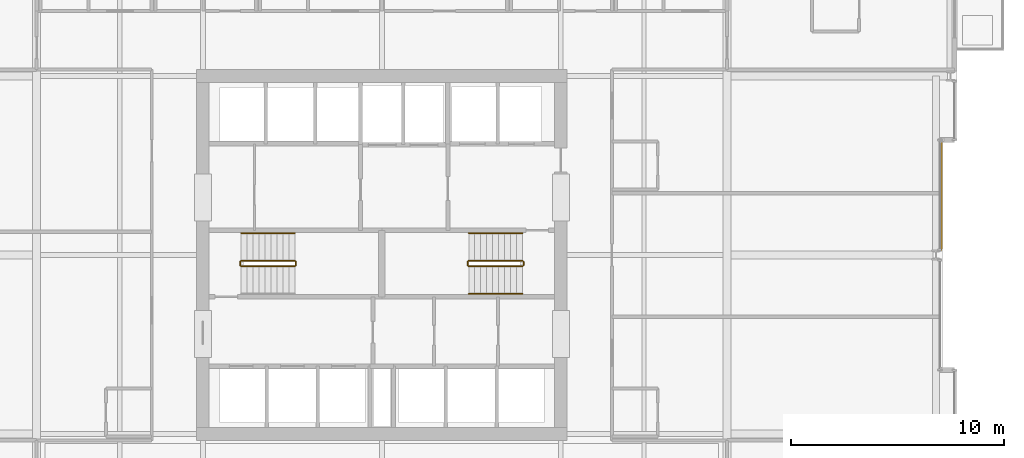
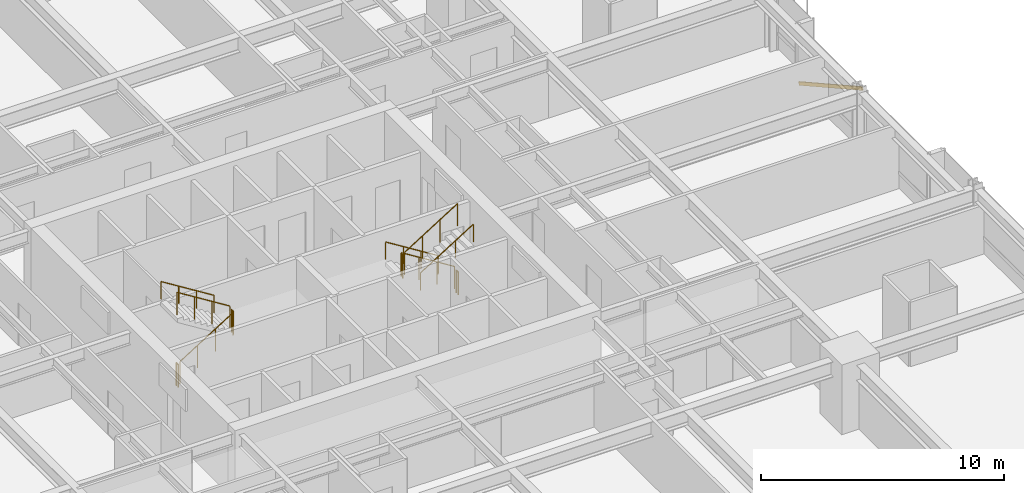
# One storey, part 37 of 38: 11 railings, 1 shading device.
"""IFC4 building model written with IfcOpenShell, lengths in metres."""

from ifc_helpers import new_model, si_unit, direction, frame, origin, origin_2d, place, context, subcontext, project, spatial, hollow_rectangle, circle, extrude, material, material_profile, profile_set, type_object, element, save


model = new_model("IFC4")

# Units and contexts
model_context = context("Model", 3, precision=1e-05, world=origin(), true_north=direction((0.0, 1.0)))
body_context = subcontext(model_context, "Body", "Model", "MODEL_VIEW")
ifc_project = project(units=[si_unit("LENGTHUNIT", "METRE"), si_unit("AREAUNIT", "SQUARE_METRE"), si_unit("VOLUMEUNIT", "CUBIC_METRE"), si_unit("PLANEANGLEUNIT", "RADIAN"), si_unit("MASSUNIT", "GRAM", prefix="KILO")], contexts=[model_context])

# Site, building, storey
site_placement = place(None, origin())
site = spatial("IfcSite", under=ifc_project, at=site_placement, CompositionType="ELEMENT")
building_placement = place(site_placement, origin())
building = spatial("IfcBuilding", under=site, at=building_placement, Name="Drelvath Grand Hotel", CompositionType="ELEMENT")
storey_placement = place(building_placement, frame((0.0, 0.0, 71.699951171875)))
storey = spatial("IfcBuildingStorey", under=building, at=storey_placement, Name="L17", CompositionType="ELEMENT", Elevation=71.699951171875)

# Railings
ifc_material_1 = material(Name="Painted Steel S275", Category="steel")
railing_type_1 = type_object("IfcRailingType", Name="Core Stair Wall Handrail 900", PredefinedType="HANDRAIL", material=ifc_material_1)
for number, where, name in (
    (1, (-4.080078125, 28.030029296875, 1.925048828125), "L17 ST-1 stair handrail 2"),
    (2, (6.60009765625, 28.030029296875, 0.175048828125), "L17 ST-2 stair handrail 1"),
):
    element("IfcRailing", number, at=place(storey_placement, frame(where)), inside=storey, type_object=railing_type_1, Name=name, PredefinedType="HANDRAIL", context=body_context, shape_type="SweptSolid", body=[
        extrude(circle(Radius=0.02392578125, at=origin_2d()), frame((0.0, 0.0, 0.8759765625), z_axis=(-0.848007534815, 0.0, 0.529984170421), x_axis=(0.0, -1.0, 0.0)), (0.0, 0.0, 1.0), 2.9716796875),
        extrude(circle(Radius=0.02099609375, at=origin_2d()), origin(), (0.0, 0.0, 1.0), 0.851806640625),
        extrude(circle(Radius=0.02099609375, at=origin_2d()), frame((-0.840087890625, 0.0, 0.52490234375)), (0.0, 0.0, 1.0), 0.851806640625),
        extrude(circle(Radius=0.02099609375, at=origin_2d()), frame((-1.679931640625, 0.0, 1.050048828125)), (0.0, 0.0, 1.0), 0.851806640625),
        extrude(circle(Radius=0.02099609375, at=origin_2d()), frame((-2.52001953125, 0.0, 1.574951171875)), (0.0, 0.0, 1.0), 0.851806640625),
    ])
railing_1_placement = place(storey_placement, frame((4.080078125, 25.169921875, 1.925048828125)))
element("IfcRailing", 3, at=railing_1_placement, inside=storey, type_object=railing_type_1, Name="L17 ST-2 stair handrail 2", PredefinedType="HANDRAIL", context=body_context, shape_type="SweptSolid", body=[
    extrude(circle(Radius=0.02392578125, at=origin_2d()), frame((0.0, 0.0, 0.8759765625), z_axis=(0.848007534815, 0.0, 0.529984170421), x_axis=(0.0, 1.0, 0.0)), (0.0, 0.0, 1.0), 2.9716796875),
    extrude(circle(Radius=0.02099609375, at=origin_2d()), origin(), (0.0, 0.0, 1.0), 0.851806640625),
    extrude(circle(Radius=0.02099609375, at=origin_2d()), frame((0.840087890625, 0.0, 0.52490234375)), (0.0, 0.0, 1.0), 0.851806640625),
    extrude(circle(Radius=0.02099609375, at=origin_2d()), frame((1.679931640625, 0.0, 1.050048828125)), (0.0, 0.0, 1.0), 0.851806640625),
    extrude(circle(Radius=0.02099609375, at=origin_2d()), frame((2.52001953125, 0.0, 1.574951171875)), (0.0, 0.0, 1.0), 0.851806640625),
])
railing_type_2 = type_object("IfcRailingType", Name="Core Stair Well Guardrail 1100", PredefinedType="GUARDRAIL", material=ifc_material_1)
railing_2_placement = place(storey_placement, frame((-6.60009765625, 26.469970703125, 0.175048828125)))
element("IfcRailing", 4, at=railing_2_placement, inside=storey, type_object=railing_type_2, Name="L17 ST-1 stair guard 1", PredefinedType="GUARDRAIL", context=body_context, shape_type="SweptSolid", body=[
    extrude(circle(Radius=0.02392578125, at=origin_2d()), frame((0.0, 0.0, 1.1259765625), z_axis=(0.848007534815, 0.0, 0.529984170421), x_axis=(0.0, 1.0, 0.0)), (0.0, 0.0, 1.0), 2.9716796875),
    extrude(circle(Radius=0.02099609375, at=origin_2d()), origin(), (0.0, 0.0, 1.0), 1.101806640625),
    extrude(circle(Radius=0.02099609375, at=origin_2d()), frame((0.840087890625, 0.0, 0.52490234375)), (0.0, 0.0, 1.0), 1.101806640625),
    extrude(circle(Radius=0.02099609375, at=origin_2d()), frame((1.679931640625, 0.0, 1.050048828125)), (0.0, 0.0, 1.0), 1.101806640625),
    extrude(circle(Radius=0.02099609375, at=origin_2d()), frame((2.52001953125, 0.0, 1.574951171875)), (0.0, 0.0, 1.0), 1.101806640625),
])
railing_3_placement = place(storey_placement, frame((-4.030029296875, 26.52001953125, 1.75)))
element("IfcRailing", 5, at=railing_3_placement, inside=storey, type_object=railing_type_2, Name="L17 ST-1 stair guard 2", PredefinedType="GUARDRAIL", context=body_context, shape_type="SweptSolid", body=[
    extrude(circle(Radius=0.02392578125, at=origin_2d()), frame((0.0, 0.0, 1.1259765625), z_axis=(0.0, 1.0, 0.0), x_axis=(-1.0, 0.0, 0.0)), (0.0, 0.0, 1.0), 0.159912109375),
    extrude(circle(Radius=0.02099609375, at=origin_2d()), origin(), (0.0, 0.0, 1.0), 1.101806640625),
    extrude(circle(Radius=0.02099609375, at=origin_2d()), frame((0.0, 0.159912109375, 0.0)), (0.0, 0.0, 1.0), 1.101806640625),
])
railing_4_placement = place(storey_placement, frame((-4.080078125, 26.72998046875, 1.925048828125)))
element("IfcRailing", 6, at=railing_4_placement, inside=storey, type_object=railing_type_2, Name="L17 ST-1 stair guard 3", PredefinedType="GUARDRAIL", context=body_context, shape_type="SweptSolid", body=[
    extrude(circle(Radius=0.02392578125, at=origin_2d()), frame((0.0, 0.0, 1.1259765625), z_axis=(-0.848007534815, 0.0, 0.529984170421), x_axis=(0.0, -1.0, 0.0)), (0.0, 0.0, 1.0), 2.9716796875),
    extrude(circle(Radius=0.02099609375, at=origin_2d()), origin(), (0.0, 0.0, 1.0), 1.101806640625),
    extrude(circle(Radius=0.02099609375, at=origin_2d()), frame((-0.840087890625, 0.0, 0.52490234375)), (0.0, 0.0, 1.0), 1.101806640625),
    extrude(circle(Radius=0.02099609375, at=origin_2d()), frame((-1.679931640625, 0.0, 1.050048828125)), (0.0, 0.0, 1.0), 1.101806640625),
    extrude(circle(Radius=0.02099609375, at=origin_2d()), frame((-2.52001953125, 0.0, 1.574951171875)), (0.0, 0.0, 1.0), 1.101806640625),
])
railing_5_placement = place(storey_placement, frame((-6.64990234375, 26.52001953125, 0.0)))
element("IfcRailing", 7, at=railing_5_placement, inside=storey, type_object=railing_type_2, Name="L17 ST-1 stair guard 4", PredefinedType="GUARDRAIL", context=body_context, shape_type="SweptSolid", body=[
    extrude(circle(Radius=0.02392578125, at=origin_2d()), frame((0.0, 0.0, 1.1259765625), z_axis=(0.0, 1.0, 0.0), x_axis=(-1.0, 0.0, 0.0)), (0.0, 0.0, 1.0), 0.159912109375),
    extrude(circle(Radius=0.02099609375, at=origin_2d()), origin(), (0.0, 0.0, 1.0), 1.101806640625),
    extrude(circle(Radius=0.02099609375, at=origin_2d()), frame((0.0, 0.159912109375, 0.0)), (0.0, 0.0, 1.0), 1.101806640625),
])
railing_6_placement = place(storey_placement, frame((6.60009765625, 26.72998046875, 0.175048828125)))
element("IfcRailing", 8, at=railing_6_placement, inside=storey, type_object=railing_type_2, Name="L17 ST-2 stair guard 1", PredefinedType="GUARDRAIL", context=body_context, shape_type="SweptSolid", body=[
    extrude(circle(Radius=0.02392578125, at=origin_2d()), frame((0.0, 0.0, 1.1259765625), z_axis=(-0.848007534815, 0.0, 0.529984170421), x_axis=(0.0, -1.0, 0.0)), (0.0, 0.0, 1.0), 2.9716796875),
    extrude(circle(Radius=0.02099609375, at=origin_2d()), origin(), (0.0, 0.0, 1.0), 1.101806640625),
    extrude(circle(Radius=0.02099609375, at=origin_2d()), frame((-0.840087890625, 0.0, 0.52490234375)), (0.0, 0.0, 1.0), 1.101806640625),
    extrude(circle(Radius=0.02099609375, at=origin_2d()), frame((-1.679931640625, 0.0, 1.050048828125)), (0.0, 0.0, 1.0), 1.101806640625),
    extrude(circle(Radius=0.02099609375, at=origin_2d()), frame((-2.52001953125, 0.0, 1.574951171875)), (0.0, 0.0, 1.0), 1.101806640625),
])
railing_7_placement = place(storey_placement, frame((4.030029296875, 26.679931640625, 1.75)))
element("IfcRailing", 9, at=railing_7_placement, inside=storey, type_object=railing_type_2, Name="L17 ST-2 stair guard 2", PredefinedType="GUARDRAIL", context=body_context, shape_type="SweptSolid", body=[
    extrude(circle(Radius=0.02392578125, at=origin_2d()), frame((0.0, 0.0, 1.1259765625), z_axis=(0.0, -1.0, 0.0), x_axis=(1.0, 0.0, 0.0)), (0.0, 0.0, 1.0), 0.159912109375),
    extrude(circle(Radius=0.02099609375, at=origin_2d()), origin(), (0.0, 0.0, 1.0), 1.101806640625),
    extrude(circle(Radius=0.02099609375, at=origin_2d()), frame((0.0, -0.159912109375, 0.0)), (0.0, 0.0, 1.0), 1.101806640625),
])
railing_8_placement = place(storey_placement, frame((4.080078125, 26.469970703125, 1.925048828125)))
element("IfcRailing", 10, at=railing_8_placement, inside=storey, type_object=railing_type_2, Name="L17 ST-2 stair guard 3", PredefinedType="GUARDRAIL", context=body_context, shape_type="SweptSolid", body=[
    extrude(circle(Radius=0.02392578125, at=origin_2d()), frame((0.0, 0.0, 1.1259765625), z_axis=(0.848007534815, 0.0, 0.529984170421), x_axis=(0.0, 1.0, 0.0)), (0.0, 0.0, 1.0), 2.9716796875),
    extrude(circle(Radius=0.02099609375, at=origin_2d()), origin(), (0.0, 0.0, 1.0), 1.101806640625),
    extrude(circle(Radius=0.02099609375, at=origin_2d()), frame((0.840087890625, 0.0, 0.52490234375)), (0.0, 0.0, 1.0), 1.101806640625),
    extrude(circle(Radius=0.02099609375, at=origin_2d()), frame((1.679931640625, 0.0, 1.050048828125)), (0.0, 0.0, 1.0), 1.101806640625),
    extrude(circle(Radius=0.02099609375, at=origin_2d()), frame((2.52001953125, 0.0, 1.574951171875)), (0.0, 0.0, 1.0), 1.101806640625),
])
railing_9_placement = place(storey_placement, frame((6.64990234375, 26.679931640625, 0.0)))
element("IfcRailing", 11, at=railing_9_placement, inside=storey, type_object=railing_type_2, Name="L17 ST-2 stair guard 4", PredefinedType="GUARDRAIL", context=body_context, shape_type="SweptSolid", body=[
    extrude(circle(Radius=0.02392578125, at=origin_2d()), frame((0.0, 0.0, 1.1259765625), z_axis=(0.0, -1.0, 0.0), x_axis=(1.0, 0.0, 0.0)), (0.0, 0.0, 1.0), 0.159912109375),
    extrude(circle(Radius=0.02099609375, at=origin_2d()), origin(), (0.0, 0.0, 1.0), 1.101806640625),
    extrude(circle(Radius=0.02099609375, at=origin_2d()), frame((0.0, -0.159912109375, 0.0)), (0.0, 0.0, 1.0), 1.101806640625),
])

# Shading device
ifc_material_2 = material(Name="Warm Bronze Anodised Aluminium", Category="aluminium")
ifc_material_profile = material_profile(ifc_material_2, hollow_rectangle(XDim=0.06494140625, YDim=0.159912109375, WallThickness=0.00390625, at=origin_2d()), Name="HSS160X65X4")
ifc_profile_set = profile_set([ifc_material_profile], Name="Warm Bronze Anodised Aluminium")
shading_device_type = type_object("IfcShadingDeviceType", Name="Diagonal Solar Fin Warm Bronze Anodised HSS160X65X4", PredefinedType="USERDEFINED", material=ifc_profile_set)
shading_device_placement = place(storey_placement, frame((26.280029296875, 32.39990234375, 0.179931640625), z_axis=(0.0, -0.873625592273, 0.486598730502), x_axis=(1.0, 0.0, 0.0)))
element("IfcShadingDevice", 12, at=shading_device_placement, inside=storey, type_object=shading_device_type, Name="L17 Diagonal Anodised Fin CW02-L17-EM2", ObjectType="FIN", PredefinedType="USERDEFINED", context=body_context, shape_type="SweptSolid", body=[
    extrude(hollow_rectangle(XDim=0.06494140625, YDim=0.159912109375, WallThickness=0.00390625, at=origin_2d()), origin(), (0.0, 0.0, 1.0), 5.9189453125),
])

save(model, "model.ifc")
